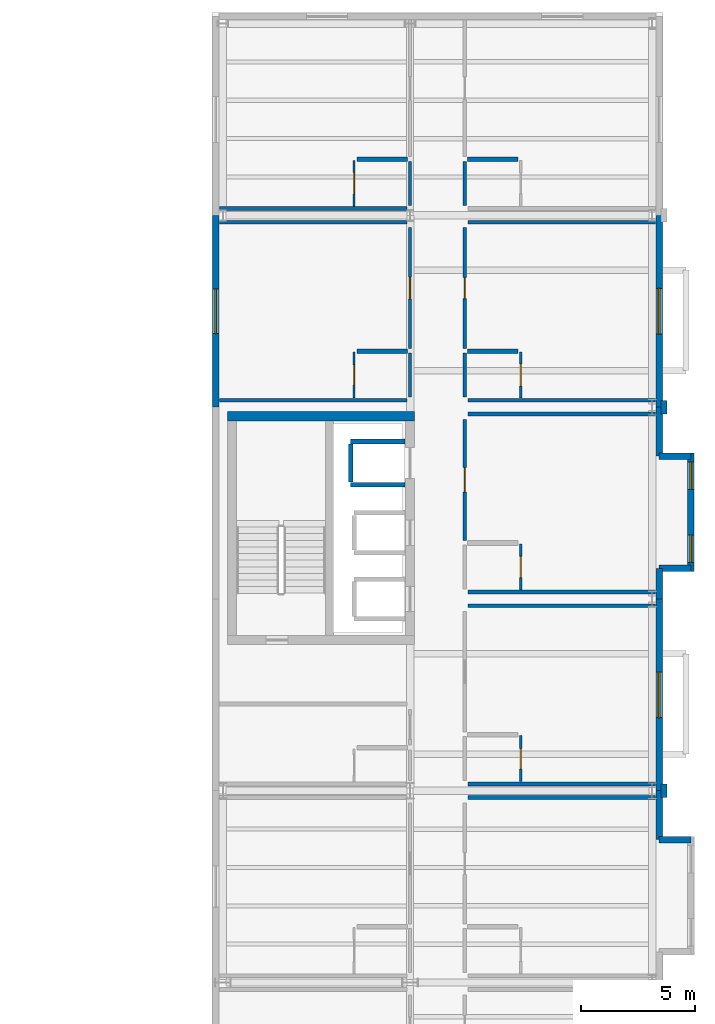
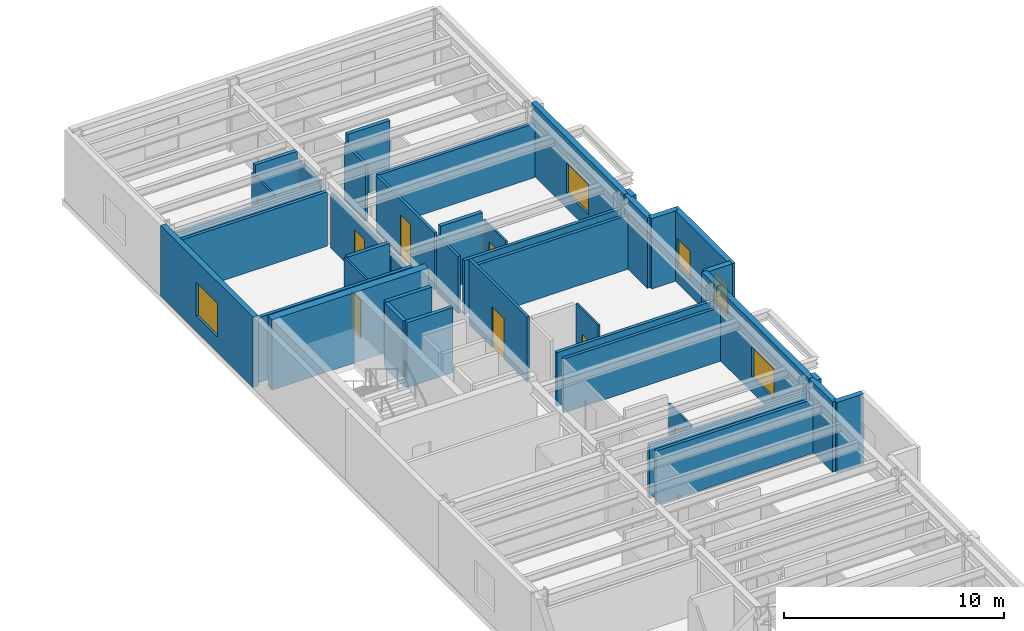
# One storey, part 50 of 59: 42 walls, 8 doors, 5 windows, 13 openings.
"""IFC4 building model written with IfcOpenShell, lengths in metres."""

from ifc_helpers import new_model, si_unit, direction, frame, frame_2d, origin, place, context, subcontext, project, spatial, rectangle, extrude, material, layer, layer_set, type_object, element, fill, save


model = new_model("IFC4")

# Units and contexts
model_context = context("Model", 3, precision=1e-05, world=origin(), true_north=direction((0.0, 1.0)))
body_context = subcontext(model_context, "Body", "Model", "MODEL_VIEW")
ifc_project = project(units=[si_unit("LENGTHUNIT", "METRE"), si_unit("AREAUNIT", "SQUARE_METRE"), si_unit("VOLUMEUNIT", "CUBIC_METRE"), si_unit("PLANEANGLEUNIT", "RADIAN"), si_unit("MASSUNIT", "GRAM", prefix="KILO")], contexts=[model_context])

# Site, building, storey
site_placement = place(None, origin())
site = spatial("IfcSite", under=ifc_project, at=site_placement, CompositionType="ELEMENT")
building_placement = place(site_placement, origin())
building = spatial("IfcBuilding", under=site, at=building_placement, Name="Sollismere Congress Hotel", CompositionType="ELEMENT")
storey_placement = place(building_placement, frame((0.0, 0.0, 15.60009765625)))
storey = spatial("IfcBuildingStorey", under=building, at=storey_placement, Name="L03", CompositionType="ELEMENT", Elevation=15.60009765625)

# Walls
ifc_material_1 = material(Name="Colorado Buff Sandstone Rainscreen on Insulated Backup", Category="masonry")
ifc_layer_1 = layer(ifc_material_1, 0.284912109375, Name="Colorado Buff Sandstone Rainscreen on Insulated Backup")
ifc_layer_set_1 = layer_set([ifc_layer_1], Name="Colorado Buff Sandstone Rainscreen on Insulated Backup")
wall_type_1 = type_object("IfcWallType", Name="WL-EXT285", PredefinedType="STANDARD", material=ifc_layer_set_1)
wall_1_placement = place(storey_placement, frame((166.31005859375, 31.06005859375, 0.0), z_axis=(0.0, 0.0, 1.0), x_axis=(0.0, 1.0, 0.0)))
element("IfcWall", 1, at=wall_1_placement, inside=storey, type_object=wall_type_1, Name="Exterior wall EW-L03-440", PredefinedType="STANDARD", context=body_context, shape_type="SweptSolid", body=[
    extrude(rectangle(XDim=2.139892578125, YDim=0.284912109375, at=frame_2d((1.06982421875, 0.0))), origin(), (0.0, 0.0, 1.0), 3.89990234375),
])
wall_2_placement = place(storey_placement, frame((167.699951171875, 31.06005859375, 0.0), z_axis=(0.0, 0.0, 1.0), x_axis=(-1.0, 0.0, 0.0)))
element("IfcWall", 2, at=wall_2_placement, inside=storey, type_object=wall_type_1, Name="Exterior wall EW-L03-443", PredefinedType="STANDARD", context=body_context, shape_type="SweptSolid", body=[
    extrude(rectangle(XDim=1.389892578125, YDim=0.284912109375, at=frame_2d((0.69482421875, 0.0))), origin(), (0.0, 0.0, 1.0), 3.89990234375),
])

# Wall, opening, window
wall_3_placement = place(storey_placement, frame((166.31005859375, 33.199951171875, 0.0), z_axis=(0.0, 0.0, 1.0), x_axis=(0.0, 1.0, 0.0)))
wall_3 = element("IfcWall", 3, at=wall_3_placement, inside=storey, type_object=wall_type_1, Name="Exterior wall EW-L03-444", PredefinedType="STANDARD", context=body_context, shape_type="SweptSolid", body=[
    extrude(rectangle(XDim=8.400146484375, YDim=0.284912109375, at=frame_2d((4.2001953125, 0.0))), origin(), (0.0, 0.0, 1.0), 3.89990234375),
])
opening_1_placement = place(wall_3_placement, frame((3.199951171875, 0.0, 0.85009765625)))
opening_1 = element("IfcOpeningElement", 4, at=opening_1_placement, cuts=wall_3, Name="Opening W-L03-342", PredefinedType="OPENING", context=body_context, shape_type="SweptSolid", body=[
    extrude(rectangle(XDim=2.0, YDim=1.64990234375, at=frame_2d((1.0, 0.824951171875))), frame((0.0, 0.15234375, 0.0), z_axis=(0.0, -1.0, 0.0), x_axis=(1.0, 0.0, 0.0)), (0.0, 0.0, 1.0), 0.304931640625),
])
ifc_material_2 = material(Name="Thermally Broken Bronze Aluminum & Low-E Glass", Category="aluminium")
window_type_1 = type_object("IfcWindowType", Name="WN-P200x165", PartitioningType="SINGLE_PANEL", PredefinedType="WINDOW", material=ifc_material_2)
window_1_placement = place(opening_1_placement, origin())
window_1 = element("IfcWindow", 5, at=window_1_placement, inside=storey, type_object=window_type_1, Name="WIN-W-L03-342", OverallHeight=1.64990234375, OverallWidth=2.0, PartitioningType="SINGLE_PANEL", PredefinedType="WINDOW", context=body_context, shape_type="SweptSolid", body=[
    extrude(rectangle(XDim=2.0, YDim=1.64990234375, at=frame_2d((1.0, 0.824951171875))), frame((0.0, 0.030029296875, 0.0), z_axis=(0.0, -1.0, 0.0), x_axis=(1.0, 0.0, 0.0)), (0.0, 0.0, 1.0), 0.06005859375),
])
fill(opening_1, window_1)

# Walls
wall_4_placement = place(storey_placement, frame((166.31005859375, 41.60009765625, 0.0), z_axis=(0.0, 0.0, 1.0), x_axis=(0.0, 1.0, 0.0)))
element("IfcWall", 6, at=wall_4_placement, inside=storey, type_object=wall_type_1, Name="Exterior wall EW-L03-446", PredefinedType="STANDARD", context=body_context, shape_type="SweptSolid", body=[
    extrude(rectangle(XDim=1.33984375, YDim=0.284912109375, at=frame_2d((0.669921875, 0.0))), origin(), (0.0, 0.0, 1.0), 3.89990234375),
])
wall_5_placement = place(storey_placement, frame((166.31005859375, 47.860107421875, 0.0), z_axis=(0.0, 0.0, 1.0), x_axis=(0.0, 1.0, 0.0)))
element("IfcWall", 7, at=wall_5_placement, inside=storey, type_object=wall_type_1, Name="Exterior wall EW-L03-447", PredefinedType="STANDARD", context=body_context, shape_type="SweptSolid", body=[
    extrude(rectangle(XDim=2.139892578125, YDim=0.284912109375, at=frame_2d((1.06982421875, 0.0))), origin(), (0.0, 0.0, 1.0), 3.89990234375),
])

# Wall, openings, windows
wall_6_placement = place(storey_placement, frame((167.699951171875, 42.800048828125, 0.0), z_axis=(0.0, 0.0, 1.0), x_axis=(0.0, 1.0, 0.0)))
wall_6 = element("IfcWall", 8, at=wall_6_placement, inside=storey, type_object=wall_type_1, Name="Exterior wall EW-L03-448", PredefinedType="STANDARD", context=body_context, shape_type="SweptSolid", body=[
    extrude(rectangle(XDim=5.199951171875, YDim=0.284912109375, at=frame_2d((2.60009765625, 0.0))), origin(), (0.0, 0.0, 1.0), 3.89990234375),
])
opening_2_placement = place(wall_6_placement, frame((0.39990234375, 0.0, 0.85009765625)))
opening_2 = element("IfcOpeningElement", 9, at=opening_2_placement, cuts=wall_6, Name="Opening W-L03-343", PredefinedType="OPENING", context=body_context, shape_type="SweptSolid", body=[
    extrude(rectangle(XDim=1.199951171875, YDim=1.60009765625, at=frame_2d((0.60009765625, 0.800048828125))), frame((0.0, 0.15234375, 0.0), z_axis=(0.0, -1.0, 0.0), x_axis=(1.0, 0.0, 0.0)), (0.0, 0.0, 1.0), 0.304931640625),
])
opening_3_placement = place(wall_6_placement, frame((3.60009765625, 0.0, 0.85009765625)))
opening_3 = element("IfcOpeningElement", 10, at=opening_3_placement, cuts=wall_6, Name="Opening W-L03-344", PredefinedType="OPENING", context=body_context, shape_type="SweptSolid", body=[
    extrude(rectangle(XDim=1.199951171875, YDim=1.60009765625, at=frame_2d((0.60009765625, 0.800048828125))), frame((0.0, 0.15234375, 0.0), z_axis=(0.0, -1.0, 0.0), x_axis=(1.0, 0.0, 0.0)), (0.0, 0.0, 1.0), 0.304931640625),
])
window_type_2 = type_object("IfcWindowType", Name="WN-P120x160", PartitioningType="SINGLE_PANEL", PredefinedType="WINDOW", material=ifc_material_2)
window_2_placement = place(opening_2_placement, origin())
window_2 = element("IfcWindow", 11, at=window_2_placement, inside=storey, type_object=window_type_2, Name="WIN-W-L03-343", OverallHeight=1.60009765625, OverallWidth=1.199951171875, PartitioningType="SINGLE_PANEL", PredefinedType="WINDOW", context=body_context, shape_type="SweptSolid", body=[
    extrude(rectangle(XDim=1.199951171875, YDim=1.60009765625, at=frame_2d((0.60009765625, 0.800048828125))), frame((0.0, 0.030029296875, 0.0), z_axis=(0.0, -1.0, 0.0), x_axis=(1.0, 0.0, 0.0)), (0.0, 0.0, 1.0), 0.06005859375),
])
fill(opening_2, window_2)
window_3_placement = place(opening_3_placement, origin())
window_3 = element("IfcWindow", 12, at=window_3_placement, inside=storey, type_object=window_type_2, Name="WIN-W-L03-344", OverallHeight=1.60009765625, OverallWidth=1.199951171875, PartitioningType="SINGLE_PANEL", PredefinedType="WINDOW", context=body_context, shape_type="SweptSolid", body=[
    extrude(rectangle(XDim=1.199951171875, YDim=1.60009765625, at=frame_2d((0.60009765625, 0.800048828125))), frame((0.0, 0.030029296875, 0.0), z_axis=(0.0, -1.0, 0.0), x_axis=(1.0, 0.0, 0.0)), (0.0, 0.0, 1.0), 0.06005859375),
])
fill(opening_3, window_3)

# Walls
for number, where, z_axis, x_axis, name in (
    (13, (166.31005859375, 42.93994140625, 0.0), (0.0, 0.0, 1.0), (1.0, 0.0, 0.0), "Exterior wall EW-L03-449"),
    (14, (167.699951171875, 47.860107421875, 0.0), (0.0, 0.0, 1.0), (-1.0, 0.0, 0.0), "Exterior wall EW-L03-450"),
):
    element("IfcWall", number, at=place(storey_placement, frame(where, z_axis=z_axis, x_axis=x_axis)), inside=storey, type_object=wall_type_1, Name=name, PredefinedType="STANDARD", context=body_context, shape_type="SweptSolid", body=[
        extrude(rectangle(XDim=1.389892578125, YDim=0.284912109375, at=frame_2d((0.69482421875, 0.0))), origin(), (0.0, 0.0, 1.0), 3.89990234375),
    ])

# Wall, opening, window
wall_7_placement = place(storey_placement, frame((166.31005859375, 50.0, 0.0), z_axis=(0.0, 0.0, 1.0), x_axis=(0.0, 1.0, 0.0)))
wall_7 = element("IfcWall", 15, at=wall_7_placement, inside=storey, type_object=wall_type_1, Name="Exterior wall EW-L03-451", PredefinedType="STANDARD", context=body_context, shape_type="SweptSolid", body=[
    extrude(rectangle(XDim=8.39990234375, YDim=0.284912109375, at=frame_2d((4.199951171875, 0.0))), origin(), (0.0, 0.0, 1.0), 3.89990234375),
])
opening_4_placement = place(wall_7_placement, frame((3.199951171875, 0.0, 0.85009765625)))
opening_4 = element("IfcOpeningElement", 16, at=opening_4_placement, cuts=wall_7, Name="Opening W-L03-345", PredefinedType="OPENING", context=body_context, shape_type="SweptSolid", body=[
    extrude(rectangle(XDim=2.0, YDim=1.64990234375, at=frame_2d((1.0, 0.824951171875))), frame((0.0, 0.15234375, 0.0), z_axis=(0.0, -1.0, 0.0), x_axis=(1.0, 0.0, 0.0)), (0.0, 0.0, 1.0), 0.304931640625),
])
window_4_placement = place(opening_4_placement, origin())
window_4 = element("IfcWindow", 17, at=window_4_placement, inside=storey, type_object=window_type_1, Name="WIN-W-L03-345", OverallHeight=1.64990234375, OverallWidth=2.0, PartitioningType="SINGLE_PANEL", PredefinedType="WINDOW", context=body_context, shape_type="SweptSolid", body=[
    extrude(rectangle(XDim=2.0, YDim=1.64990234375, at=frame_2d((1.0, 0.824951171875))), frame((0.0, 0.030029296875, 0.0), z_axis=(0.0, -1.0, 0.0), x_axis=(1.0, 0.0, 0.0)), (0.0, 0.0, 1.0), 0.06005859375),
])
fill(opening_4, window_4)

wall_8_placement = place(storey_placement, frame((146.889892578125, 50.0, 0.0), z_axis=(0.0, 0.0, 1.0), x_axis=(0.0, 1.0, 0.0)))
wall_8 = element("IfcWall", 18, at=wall_8_placement, inside=storey, type_object=wall_type_1, Name="Exterior wall EW-L03-471", PredefinedType="STANDARD", context=body_context, shape_type="SweptSolid", body=[
    extrude(rectangle(XDim=8.39990234375, YDim=0.284912109375, at=frame_2d((4.199951171875, 0.0))), origin(), (0.0, 0.0, 1.0), 3.89990234375),
])
opening_5_placement = place(wall_8_placement, frame((3.22509765625, 0.0, 0.85009765625)))
opening_5 = element("IfcOpeningElement", 19, at=opening_5_placement, cuts=wall_8, Name="Opening W-L03-360", PredefinedType="OPENING", context=body_context, shape_type="SweptSolid", body=[
    extrude(rectangle(XDim=1.949951171875, YDim=1.85009765625, at=frame_2d((0.97509765625, 0.925048828125))), frame((0.0, 0.15234375, 0.0), z_axis=(0.0, -1.0, 0.0), x_axis=(1.0, 0.0, 0.0)), (0.0, 0.0, 1.0), 0.304931640625),
])
window_type_3 = type_object("IfcWindowType", Name="WN-P195x185", PartitioningType="SINGLE_PANEL", PredefinedType="WINDOW", material=ifc_material_2)
window_5_placement = place(opening_5_placement, origin())
window_5 = element("IfcWindow", 20, at=window_5_placement, inside=storey, type_object=window_type_3, Name="WIN-W-L03-360", OverallHeight=1.85009765625, OverallWidth=1.949951171875, PartitioningType="SINGLE_PANEL", PredefinedType="WINDOW", context=body_context, shape_type="SweptSolid", body=[
    extrude(rectangle(XDim=1.949951171875, YDim=1.85009765625, at=frame_2d((0.97509765625, 0.925048828125))), frame((0.0, 0.030029296875, 0.0), z_axis=(0.0, -1.0, 0.0), x_axis=(1.0, 0.0, 0.0)), (0.0, 0.0, 1.0), 0.06005859375),
])
fill(opening_5, window_5)

# Walls
ifc_material_3 = material(Name="Carved Travertine Pilaster & Frieze Assembly", Category="masonry")
ifc_layer_2 = layer(ifc_material_3, 0.260009765625, Name="Carved Travertine Pilaster & Frieze Assembly")
ifc_layer_set_2 = layer_set([ifc_layer_2], Name="Carved Travertine Pilaster & Frieze Assembly")
wall_type_2 = type_object("IfcWallType", Name="WL-PIL280", PredefinedType="ELEMENTEDWALL", material=ifc_layer_set_2)
for number, where, z_axis, x_axis, name in (
    (21, (166.52001953125, 32.89990234375, 0.0), (0.0, 0.0, 1.0), (0.0, 1.0, 0.0), "Exterior wall EW-L03-445"),
    (22, (166.52001953125, 49.699951171875, 0.0), (0.0, 0.0, 1.0), (0.0, 1.0, 0.0), "Exterior wall EW-L03-452"),
):
    element("IfcWall", number, at=place(storey_placement, frame(where, z_axis=z_axis, x_axis=x_axis)), inside=storey, type_object=wall_type_2, Name=name, PredefinedType="ELEMENTEDWALL", context=body_context, shape_type="SweptSolid", body=[
        extrude(rectangle(XDim=0.60009765625, YDim=0.260009765625, at=frame_2d((0.300048828125, 0.0))), origin(), (0.0, 0.0, 1.0), 3.89990234375),
    ])
ifc_material_4 = material(Name="Moisture-Resistant Shaft Gypsum Assembly")
ifc_layer_3 = layer(ifc_material_4, 0.199951171875, Name="Moisture-Resistant Shaft Gypsum Assembly")
ifc_layer_set_3 = layer_set([ifc_layer_3], Name="Moisture-Resistant Shaft Gypsum Assembly")
wall_type_3 = type_object("IfcWallType", Name="WL-PLM200", PredefinedType="PLUMBINGWALL", material=ifc_layer_set_3)
for number, where, z_axis, x_axis, name in (
    (23, (152.800048828125, 46.60498046875, 0.0), (0.0, 0.0, 1.0), (1.0, 0.0, 0.0), "Interior wall IW-L03-0445"),
    (24, (152.800048828125, 48.4951171875, 0.0), (0.0, 0.0, 1.0), (1.0, 0.0, 0.0), "Interior wall IW-L03-0446"),
):
    element("IfcWall", number, at=place(storey_placement, frame(where, z_axis=z_axis, x_axis=x_axis)), inside=storey, type_object=wall_type_3, Name=name, PredefinedType="PLUMBINGWALL", context=body_context, shape_type="SweptSolid", body=[
        extrude(rectangle(XDim=2.387939453125, YDim=0.199951171875, at=frame_2d((1.19384765625, 0.0))), origin(), (0.0, 0.0, 1.0), 3.599853515625),
    ])
wall_9_placement = place(storey_placement, frame((152.800048828125, 46.717041015625, 0.0), z_axis=(0.0, 0.0, 1.0), x_axis=(0.0, 1.0, 0.0)))
element("IfcWall", 25, at=wall_9_placement, inside=storey, type_object=wall_type_3, Name="Interior wall IW-L03-0447", PredefinedType="PLUMBINGWALL", context=body_context, shape_type="SweptSolid", body=[
    extrude(rectangle(XDim=1.666015625, YDim=0.199951171875, at=frame_2d((0.8330078125, 0.0))), origin(), (0.0, 0.0, 1.0), 3.599853515625),
])
for number, where, z_axis, x_axis, name in (
    (26, (157.919921875, 52.449951171875, 0.0), (0.0, 0.0, 1.0), (1.0, 0.0, 0.0), "Interior wall IW-L03-1417"),
    (27, (153.070068359375, 52.449951171875, 0.0), (0.0, 0.0, 1.0), (1.0, 0.0, 0.0), "Interior wall IW-L03-1423"),
    (28, (157.919921875, 60.85009765625, 0.0), (0.0, 0.0, 1.0), (1.0, 0.0, 0.0), "Interior wall IW-L03-1428"),
    (29, (153.070068359375, 60.85009765625, 0.0), (0.0, 0.0, 1.0), (1.0, 0.0, 0.0), "Interior wall IW-L03-1433"),
):
    element("IfcWall", number, at=place(storey_placement, frame(where, z_axis=z_axis, x_axis=x_axis)), inside=storey, type_object=wall_type_3, Name=name, PredefinedType="PLUMBINGWALL", context=body_context, shape_type="SweptSolid", body=[
        extrude(rectangle(XDim=2.2099609375, YDim=0.199951171875, at=frame_2d((1.10498046875, 0.0))), origin(), (0.0, 0.0, 1.0), 3.599853515625),
    ])

# Wall, opening, door
ifc_material_5 = material(Name="Moisture-Resistant Gypsum Partition")
ifc_layer_4 = layer(ifc_material_5, 0.10009765625, Name="Moisture-Resistant Gypsum Partition")
ifc_layer_set_4 = layer_set([ifc_layer_4], Name="Moisture-Resistant Gypsum Partition")
wall_type_4 = type_object("IfcWallType", Name="WL-PRT100", PredefinedType="PARTITIONING", material=ifc_layer_set_4)
wall_10_placement = place(storey_placement, frame((160.25, 33.594482421875, 0.0), z_axis=(0.0, 0.0, 1.0), x_axis=(0.0, 1.0, 0.0)))
wall_10 = element("IfcWall", 30, at=wall_10_placement, inside=storey, type_object=wall_type_4, Name="Interior wall IW-L03-1400", PredefinedType="PARTITIONING", context=body_context, shape_type="SweptSolid", body=[
    extrude(rectangle(XDim=2.015625, YDim=0.10009765625, at=frame_2d((1.0078125, 0.0))), origin(), (0.0, 0.0, 1.0), 3.15283203125),
])
opening_6_placement = place(wall_10_placement, frame((0.568115234375, 0.0, 0.0)))
opening_6 = element("IfcOpeningElement", 31, at=opening_6_placement, cuts=wall_10, Name="Opening D-L03-0494", PredefinedType="OPENING", context=body_context, shape_type="SweptSolid", body=[
    extrude(rectangle(XDim=0.8798828125, YDim=2.179931640625, at=frame_2d((0.43994140625, 1.08984375))), frame((0.0, 0.06005859375, 0.0), z_axis=(0.0, -1.0, 0.0), x_axis=(1.0, 0.0, 0.0)), (0.0, 0.0, 1.0), 0.1201171875),
])
ifc_material_6 = material(Name="Moisture-Sealed Timber Bathroom Door", Category="wood")
door_type_1 = type_object("IfcDoorType", Name="DR-BT05", OperationType="NOTDEFINED", PredefinedType="DOOR", material=ifc_material_6)
door_1_placement = place(opening_6_placement, origin())
door_1 = element("IfcDoor", 32, at=door_1_placement, inside=storey, type_object=door_type_1, Name="En-suite bathroom door D-L03-0494", OperationType="SINGLE_SWING_LEFT", OverallHeight=2.179931640625, OverallWidth=0.8798828125, PredefinedType="DOOR", context=body_context, shape_type="SweptSolid", body=[
    extrude(rectangle(XDim=0.8798828125, YDim=2.179931640625, at=frame_2d((0.43994140625, 1.08984375))), frame((0.0, 0.02490234375, 0.0), z_axis=(0.0, -1.0, 0.0), x_axis=(1.0, 0.0, 0.0)), (0.0, 0.0, 1.0), 0.050048828125),
])
fill(opening_6, door_1)

wall_11_placement = place(storey_placement, frame((160.25, 41.994384765625, 0.0), z_axis=(0.0, 0.0, 1.0), x_axis=(0.0, 1.0, 0.0)))
wall_11 = element("IfcWall", 33, at=wall_11_placement, inside=storey, type_object=wall_type_4, Name="Interior wall IW-L03-1412", PredefinedType="PARTITIONING", context=body_context, shape_type="SweptSolid", body=[
    extrude(rectangle(XDim=2.015625, YDim=0.10009765625, at=frame_2d((1.0078125, 0.0))), origin(), (0.0, 0.0, 1.0), 3.599853515625),
])
opening_7_placement = place(wall_11_placement, frame((0.54296875, 0.0, 0.0)))
opening_7 = element("IfcOpeningElement", 34, at=opening_7_placement, cuts=wall_11, Name="Opening D-L03-0498", PredefinedType="OPENING", context=body_context, shape_type="SweptSolid", body=[
    extrude(rectangle(XDim=0.929931640625, YDim=2.219970703125, at=frame_2d((0.46484375, 1.10986328125))), frame((0.0, 0.06005859375, 0.0), z_axis=(0.0, -1.0, 0.0), x_axis=(1.0, 0.0, 0.0)), (0.0, 0.0, 1.0), 0.1201171875),
])
door_type_2 = type_object("IfcDoorType", Name="DR-BT07", OperationType="NOTDEFINED", PredefinedType="DOOR", material=ifc_material_6)
door_2_placement = place(opening_7_placement, origin())
door_2 = element("IfcDoor", 35, at=door_2_placement, inside=storey, type_object=door_type_2, Name="En-suite bathroom door D-L03-0498", OperationType="SINGLE_SWING_LEFT", OverallHeight=2.219970703125, OverallWidth=0.929931640625, PredefinedType="DOOR", context=body_context, shape_type="SweptSolid", body=[
    extrude(rectangle(XDim=0.929931640625, YDim=2.219970703125, at=frame_2d((0.46484375, 1.10986328125))), frame((0.0, 0.02490234375, 0.0), z_axis=(0.0, -1.0, 0.0), x_axis=(1.0, 0.0, 0.0)), (0.0, 0.0, 1.0), 0.050048828125),
])
fill(opening_7, door_2)

wall_12_placement = place(storey_placement, frame((160.25, 50.39453125, 0.0), z_axis=(0.0, 0.0, 1.0), x_axis=(0.0, 1.0, 0.0)))
wall_12 = element("IfcWall", 36, at=wall_12_placement, inside=storey, type_object=wall_type_4, Name="Interior wall IW-L03-1418", PredefinedType="PARTITIONING", context=body_context, shape_type="SweptSolid", body=[
    extrude(rectangle(XDim=2.015380859375, YDim=0.10009765625, at=frame_2d((1.0078125, 0.0))), origin(), (0.0, 0.0, 1.0), 3.15283203125),
])
opening_8_placement = place(wall_12_placement, frame((0.530029296875, 0.0, 0.0)))
opening_8 = element("IfcOpeningElement", 37, at=opening_8_placement, cuts=wall_12, Name="Opening D-L03-0500", PredefinedType="OPENING", context=body_context, shape_type="SweptSolid", body=[
    extrude(rectangle(XDim=0.955078125, YDim=2.219970703125, at=frame_2d((0.4775390625, 1.10986328125))), frame((0.0, 0.06005859375, 0.0), z_axis=(0.0, -1.0, 0.0), x_axis=(1.0, 0.0, 0.0)), (0.0, 0.0, 1.0), 0.1201171875),
])
door_type_3 = type_object("IfcDoorType", Name="DR-BT08", OperationType="NOTDEFINED", PredefinedType="DOOR", material=ifc_material_6)
door_3_placement = place(opening_8_placement, origin())
door_3 = element("IfcDoor", 38, at=door_3_placement, inside=storey, type_object=door_type_3, Name="En-suite bathroom door D-L03-0500", OperationType="SINGLE_SWING_LEFT", OverallHeight=2.219970703125, OverallWidth=0.955078125, PredefinedType="DOOR", context=body_context, shape_type="SweptSolid", body=[
    extrude(rectangle(XDim=0.955078125, YDim=2.219970703125, at=frame_2d((0.4775390625, 1.10986328125))), frame((0.0, 0.02490234375, 0.0), z_axis=(0.0, -1.0, 0.0), x_axis=(1.0, 0.0, 0.0)), (0.0, 0.0, 1.0), 0.050048828125),
])
fill(opening_8, door_3)

wall_13_placement = place(storey_placement, frame((152.949951171875, 50.39453125, 0.0), z_axis=(0.0, 0.0, 1.0), x_axis=(0.0, 1.0, 0.0)))
wall_13 = element("IfcWall", 39, at=wall_13_placement, inside=storey, type_object=wall_type_4, Name="Interior wall IW-L03-1424", PredefinedType="PARTITIONING", context=body_context, shape_type="SweptSolid", body=[
    extrude(rectangle(XDim=2.015380859375, YDim=0.10009765625, at=frame_2d((1.0078125, 0.0))), origin(), (0.0, 0.0, 1.0), 3.599853515625),
])
opening_9_placement = place(wall_13_placement, frame((0.568115234375, 0.0, 0.0)))
opening_9 = element("IfcOpeningElement", 40, at=opening_9_placement, cuts=wall_13, Name="Opening D-L03-0502", PredefinedType="OPENING", context=body_context, shape_type="SweptSolid", body=[
    extrude(rectangle(XDim=0.8798828125, YDim=2.10009765625, at=frame_2d((0.43994140625, 1.050048828125))), frame((0.0, 0.06005859375, 0.0), z_axis=(0.0, -1.0, 0.0), x_axis=(1.0, 0.0, 0.0)), (0.0, 0.0, 1.0), 0.1201171875),
])
door_type_4 = type_object("IfcDoorType", Name="DR-BT01", OperationType="NOTDEFINED", PredefinedType="DOOR", material=ifc_material_6)
door_4_placement = place(opening_9_placement, origin())
door_4 = element("IfcDoor", 41, at=door_4_placement, inside=storey, type_object=door_type_4, Name="En-suite bathroom door D-L03-0502", OperationType="SINGLE_SWING_LEFT", OverallHeight=2.10009765625, OverallWidth=0.8798828125, PredefinedType="DOOR", context=body_context, shape_type="SweptSolid", body=[
    extrude(rectangle(XDim=0.8798828125, YDim=2.10009765625, at=frame_2d((0.43994140625, 1.050048828125))), frame((0.0, 0.02490234375, 0.0), z_axis=(0.0, -1.0, 0.0), x_axis=(1.0, 0.0, 0.0)), (0.0, 0.0, 1.0), 0.050048828125),
])
fill(opening_9, door_4)

wall_14_placement = place(storey_placement, frame((152.949951171875, 58.79443359375, 0.0), z_axis=(0.0, 0.0, 1.0), x_axis=(0.0, 1.0, 0.0)))
wall_14 = element("IfcWall", 42, at=wall_14_placement, inside=storey, type_object=wall_type_4, Name="Interior wall IW-L03-1434", PredefinedType="PARTITIONING", context=body_context, shape_type="SweptSolid", body=[
    extrude(rectangle(XDim=2.015625, YDim=0.10009765625, at=frame_2d((1.0078125, 0.0))), origin(), (0.0, 0.0, 1.0), 3.2080078125),
])
opening_10_placement = place(wall_14_placement, frame((0.54296875, 0.0, 0.0)))
opening_10 = element("IfcOpeningElement", 43, at=opening_10_placement, cuts=wall_14, Name="Opening D-L03-0506", PredefinedType="OPENING", context=body_context, shape_type="SweptSolid", body=[
    extrude(rectangle(XDim=0.929931640625, YDim=2.139892578125, at=frame_2d((0.46484375, 1.06982421875))), frame((0.0, 0.06005859375, 0.0), z_axis=(0.0, -1.0, 0.0), x_axis=(1.0, 0.0, 0.0)), (0.0, 0.0, 1.0), 0.1201171875),
])
door_type_5 = type_object("IfcDoorType", Name="DR-BT03", OperationType="NOTDEFINED", PredefinedType="DOOR", material=ifc_material_6)
door_5_placement = place(opening_10_placement, origin())
door_5 = element("IfcDoor", 44, at=door_5_placement, inside=storey, type_object=door_type_5, Name="En-suite bathroom door D-L03-0506", OperationType="SINGLE_SWING_LEFT", OverallHeight=2.139892578125, OverallWidth=0.929931640625, PredefinedType="DOOR", context=body_context, shape_type="SweptSolid", body=[
    extrude(rectangle(XDim=0.929931640625, YDim=2.139892578125, at=frame_2d((0.46484375, 1.06982421875))), frame((0.0, 0.02490234375, 0.0), z_axis=(0.0, -1.0, 0.0), x_axis=(1.0, 0.0, 0.0)), (0.0, 0.0, 1.0), 0.050048828125),
])
fill(opening_10, door_5)

ifc_material_7 = material(Name="Fire-Rated Gypsum Partition")
ifc_layer_5 = layer(ifc_material_7, 0.139892578125, Name="Fire-Rated Gypsum Partition")
ifc_layer_set_5 = layer_set([ifc_layer_5], Name="Fire-Rated Gypsum Partition")
wall_type_5 = type_object("IfcWallType", Name="WL-PRT140R", PredefinedType="PARTITIONING", material=ifc_layer_set_5)
wall_15_placement = place(storey_placement, frame((157.800048828125, 44.169921875, 0.0), z_axis=(0.0, 0.0, 1.0), x_axis=(0.0, 1.0, 0.0)))
wall_15 = element("IfcWall", 45, at=wall_15_placement, inside=storey, type_object=wall_type_5, Name="Interior wall IW-L03-1408", PredefinedType="PARTITIONING", context=body_context, shape_type="SweptSolid", body=[
    extrude(rectangle(XDim=5.2900390625, YDim=0.139892578125, at=frame_2d((2.64501953125, 0.0))), origin(), (0.0, 0.0, 1.0), 3.599853515625),
])
opening_11_placement = place(wall_15_placement, frame((2.110107421875, 0.0, 0.0)))
opening_11 = element("IfcOpeningElement", 46, at=opening_11_placement, cuts=wall_15, Name="Opening D-L03-0497", PredefinedType="OPENING", context=body_context, shape_type="SweptSolid", body=[
    extrude(rectangle(XDim=1.070068359375, YDim=2.25, at=frame_2d((0.53515625, 1.125))), frame((0.0, 0.079833984375, 0.0), z_axis=(0.0, -1.0, 0.0), x_axis=(1.0, 0.0, 0.0)), (0.0, 0.0, 1.0), 0.159912109375),
])
ifc_material_8 = material(Name="Solid-Core Acoustic Walnut Guestroom Entry Door")
door_type_6 = type_object("IfcDoorType", Name="DR-KY06", OperationType="NOTDEFINED", PredefinedType="DOOR", material=ifc_material_8)
door_6_placement = place(opening_11_placement, origin())
door_6 = element("IfcDoor", 47, at=door_6_placement, inside=storey, type_object=door_type_6, Name="Hotel room entry door D-L03-0497", OperationType="SINGLE_SWING_RIGHT", OverallHeight=2.25, OverallWidth=1.070068359375, PredefinedType="DOOR", context=body_context, shape_type="SweptSolid", body=[
    extrude(rectangle(XDim=1.070068359375, YDim=2.25, at=frame_2d((0.53515625, 1.125))), frame((0.0, 0.02490234375, 0.0), z_axis=(0.0, -1.0, 0.0), x_axis=(1.0, 0.0, 0.0)), (0.0, 0.0, 1.0), 0.050048828125),
])
fill(opening_11, door_6)

# Wall
wall_16_placement = place(storey_placement, frame((157.800048828125, 50.43994140625, 0.0), z_axis=(0.0, 0.0, 1.0), x_axis=(0.0, 1.0, 0.0)))
element("IfcWall", 48, at=wall_16_placement, inside=storey, type_object=wall_type_5, Name="Interior wall IW-L03-1413", PredefinedType="PARTITIONING", context=body_context, shape_type="SweptSolid", body=[
    extrude(rectangle(XDim=1.93017578125, YDim=0.139892578125, at=frame_2d((0.965087890625, 0.0))), origin(), (0.0, 0.0, 1.0), 3.15283203125),
])

# Wall, opening, door
wall_17_placement = place(storey_placement, frame((157.800048828125, 52.570068359375, 0.0), z_axis=(0.0, 0.0, 1.0), x_axis=(0.0, 1.0, 0.0)))
wall_17 = element("IfcWall", 49, at=wall_17_placement, inside=storey, type_object=wall_type_5, Name="Interior wall IW-L03-1414", PredefinedType="PARTITIONING", context=body_context, shape_type="SweptSolid", body=[
    extrude(rectangle(XDim=5.2900390625, YDim=0.139892578125, at=frame_2d((2.64501953125, 0.0))), origin(), (0.0, 0.0, 1.0), 3.15283203125),
])
opening_12_placement = place(wall_17_placement, frame((2.18505859375, 0.0, 0.0)))
opening_12 = element("IfcOpeningElement", 50, at=opening_12_placement, cuts=wall_17, Name="Opening D-L03-0499", PredefinedType="OPENING", context=body_context, shape_type="SweptSolid", body=[
    extrude(rectangle(XDim=0.919921875, YDim=2.300048828125, at=frame_2d((0.4599609375, 1.14990234375))), frame((0.0, 0.079833984375, 0.0), z_axis=(0.0, -1.0, 0.0), x_axis=(1.0, 0.0, 0.0)), (0.0, 0.0, 1.0), 0.159912109375),
])
door_type_7 = type_object("IfcDoorType", Name="DR-KY07", OperationType="NOTDEFINED", PredefinedType="DOOR", material=ifc_material_8)
door_7_placement = place(opening_12_placement, origin())
door_7 = element("IfcDoor", 51, at=door_7_placement, inside=storey, type_object=door_type_7, Name="Hotel room entry door D-L03-0499", OperationType="SINGLE_SWING_RIGHT", OverallHeight=2.300048828125, OverallWidth=0.919921875, PredefinedType="DOOR", context=body_context, shape_type="SweptSolid", body=[
    extrude(rectangle(XDim=0.919921875, YDim=2.300048828125, at=frame_2d((0.4599609375, 1.14990234375))), frame((0.0, 0.02490234375, 0.0), z_axis=(0.0, -1.0, 0.0), x_axis=(1.0, 0.0, 0.0)), (0.0, 0.0, 1.0), 0.050048828125),
])
fill(opening_12, door_7)

# Wall
wall_18_placement = place(storey_placement, frame((155.39990234375, 50.43994140625, 0.0), z_axis=(0.0, 0.0, 1.0), x_axis=(0.0, 1.0, 0.0)))
element("IfcWall", 52, at=wall_18_placement, inside=storey, type_object=wall_type_5, Name="Interior wall IW-L03-1419", PredefinedType="PARTITIONING", context=body_context, shape_type="SweptSolid", body=[
    extrude(rectangle(XDim=1.93017578125, YDim=0.139892578125, at=frame_2d((0.965087890625, 0.0))), origin(), (0.0, 0.0, 1.0), 2.989990234375),
])

# Wall, opening, door
wall_19_placement = place(storey_placement, frame((155.39990234375, 52.570068359375, 0.0), z_axis=(0.0, 0.0, 1.0), x_axis=(0.0, 1.0, 0.0)))
wall_19 = element("IfcWall", 53, at=wall_19_placement, inside=storey, type_object=wall_type_5, Name="Interior wall IW-L03-1420", PredefinedType="PARTITIONING", context=body_context, shape_type="SweptSolid", body=[
    extrude(rectangle(XDim=5.2900390625, YDim=0.139892578125, at=frame_2d((2.64501953125, 0.0))), origin(), (0.0, 0.0, 1.0), 2.989990234375),
])
opening_13_placement = place(wall_19_placement, frame((2.169921875, 0.0, 0.0)))
opening_13 = element("IfcOpeningElement", 54, at=opening_13_placement, cuts=wall_19, Name="Opening D-L03-0501", PredefinedType="OPENING", context=body_context, shape_type="SweptSolid", body=[
    extrude(rectangle(XDim=0.949951171875, YDim=2.300048828125, at=frame_2d((0.47509765625, 1.14990234375))), frame((0.0, 0.079833984375, 0.0), z_axis=(0.0, -1.0, 0.0), x_axis=(1.0, 0.0, 0.0)), (0.0, 0.0, 1.0), 0.159912109375),
])
door_type_8 = type_object("IfcDoorType", Name="DR-KY08", OperationType="NOTDEFINED", PredefinedType="DOOR", material=ifc_material_8)
door_8_placement = place(opening_13_placement, origin())
door_8 = element("IfcDoor", 55, at=door_8_placement, inside=storey, type_object=door_type_8, Name="Hotel room entry door D-L03-0501", OperationType="SINGLE_SWING_RIGHT", OverallHeight=2.300048828125, OverallWidth=0.949951171875, PredefinedType="DOOR", context=body_context, shape_type="SweptSolid", body=[
    extrude(rectangle(XDim=0.949951171875, YDim=2.300048828125, at=frame_2d((0.47509765625, 1.14990234375))), frame((0.0, 0.02490234375, 0.0), z_axis=(0.0, -1.0, 0.0), x_axis=(1.0, 0.0, 0.0)), (0.0, 0.0, 1.0), 0.050048828125),
])
fill(opening_13, door_8)

# Walls
wall_20_placement = place(storey_placement, frame((157.800048828125, 58.840087890625, 0.0), z_axis=(0.0, 0.0, 1.0), x_axis=(0.0, 1.0, 0.0)))
element("IfcWall", 56, at=wall_20_placement, inside=storey, type_object=wall_type_5, Name="Interior wall IW-L03-1425", PredefinedType="PARTITIONING", context=body_context, shape_type="SweptSolid", body=[
    extrude(rectangle(XDim=1.929931640625, YDim=0.139892578125, at=frame_2d((0.96484375, 0.0))), origin(), (0.0, 0.0, 1.0), 3.157958984375),
])
wall_21_placement = place(storey_placement, frame((155.39990234375, 58.840087890625, 0.0), z_axis=(0.0, 0.0, 1.0), x_axis=(0.0, 1.0, 0.0)))
element("IfcWall", 57, at=wall_21_placement, inside=storey, type_object=wall_type_5, Name="Interior wall IW-L03-1430", PredefinedType="PARTITIONING", context=body_context, shape_type="SweptSolid", body=[
    extrude(rectangle(XDim=1.929931640625, YDim=0.139892578125, at=frame_2d((0.96484375, 0.0))), origin(), (0.0, 0.0, 1.0), 3.073974609375),
])
ifc_material_9 = material(Name="Fire-Rated Acoustic Gypsum Partition")
ifc_layer_6 = layer(ifc_material_9, 0.1650390625, Name="Fire-Rated Acoustic Gypsum Partition")
ifc_layer_set_6 = layer_set([ifc_layer_6], Name="Fire-Rated Acoustic Gypsum Partition")
wall_type_6 = type_object("IfcWallType", Name="WL-PRT165R", PredefinedType="PARTITIONING", material=ifc_layer_set_6)
for number, where, z_axis, x_axis, name in (
    (58, (157.93994140625, 32.89990234375, 0.0), (0.0, 0.0, 1.0), (1.0, 0.0, 0.0), "Interior wall IW-L03-1386"),
    (59, (157.93994140625, 33.5, 0.0), (0.0, 0.0, 1.0), (1.0, 0.0, 0.0), "Interior wall IW-L03-1397"),
    (60, (157.93994140625, 41.300048828125, 0.0), (0.0, 0.0, 1.0), (1.0, 0.0, 0.0), "Interior wall IW-L03-1398"),
    (61, (157.93994140625, 41.89990234375, 0.0), (0.0, 0.0, 1.0), (1.0, 0.0, 0.0), "Interior wall IW-L03-1409"),
    (62, (157.93994140625, 49.699951171875, 0.0), (0.0, 0.0, 1.0), (1.0, 0.0, 0.0), "Interior wall IW-L03-1410"),
    (63, (157.93994140625, 50.300048828125, 0.0), (0.0, 0.0, 1.0), (1.0, 0.0, 0.0), "Interior wall IW-L03-1415"),
    (64, (157.93994140625, 58.10009765625, 0.0), (0.0, 0.0, 1.0), (1.0, 0.0, 0.0), "Interior wall IW-L03-1416"),
):
    element("IfcWall", number, at=place(storey_placement, frame(where, z_axis=z_axis, x_axis=x_axis)), inside=storey, type_object=wall_type_6, Name=name, PredefinedType="PARTITIONING", context=body_context, shape_type="SweptSolid", body=[
        extrude(rectangle(XDim=8.212646484375, YDim=0.1650390625, at=frame_2d((4.1064453125, 0.0))), origin(), (0.0, 0.0, 1.0), 2.989990234375),
    ])
wall_22_placement = place(storey_placement, frame((147.047607421875, 50.300048828125, 0.0), z_axis=(0.0, 0.0, 1.0), x_axis=(1.0, 0.0, 0.0)))
element("IfcWall", 65, at=wall_22_placement, inside=storey, type_object=wall_type_6, Name="Interior wall IW-L03-1421", PredefinedType="PARTITIONING", context=body_context, shape_type="SweptSolid", body=[
    extrude(rectangle(XDim=8.21240234375, YDim=0.1650390625, at=frame_2d((4.106201171875, 0.0))), origin(), (0.0, 0.0, 1.0), 3.599853515625),
])
for number, where, z_axis, x_axis, name in (
    (66, (147.047607421875, 58.10009765625, 0.0), (0.0, 0.0, 1.0), (1.0, 0.0, 0.0), "Interior wall IW-L03-1422"),
    (67, (147.047607421875, 58.699951171875, 0.0), (0.0, 0.0, 1.0), (1.0, 0.0, 0.0), "Interior wall IW-L03-1432"),
):
    element("IfcWall", number, at=place(storey_placement, frame(where, z_axis=z_axis, x_axis=x_axis)), inside=storey, type_object=wall_type_6, Name=name, PredefinedType="PARTITIONING", context=body_context, shape_type="SweptSolid", body=[
        extrude(rectangle(XDim=8.21240234375, YDim=0.1650390625, at=frame_2d((4.106201171875, 0.0))), origin(), (0.0, 0.0, 1.0), 3.012939453125),
    ])
ifc_material_10 = material(Name="Concrete C50/60", Category="concrete")
ifc_layer_7 = layer(ifc_material_10, 0.39990234375, Name="Concrete C50/60")
ifc_layer_set_7 = layer_set([ifc_layer_7], Name="Concrete C50/60")
wall_type_7 = type_object("IfcWallType", Name="WL-SHR400", PredefinedType="SHEAR", material=ifc_layer_set_7)
wall_23_placement = place(storey_placement, frame((155.60009765625, 49.60009765625, 0.0), z_axis=(0.0, 0.0, 1.0), x_axis=(-1.0, 0.0, 0.0)))
element("IfcWall", 68, at=wall_23_placement, inside=storey, type_object=wall_type_7, Name="Interior wall IW-L03-0435", PredefinedType="SHEAR", context=body_context, shape_type="SweptSolid", body=[
    extrude(rectangle(XDim=8.2001953125, YDim=0.39990234375, at=frame_2d((4.10009765625, 0.0))), origin(), (0.0, 0.0, 1.0), 3.89990234375),
])

save(model, "model.ifc")
